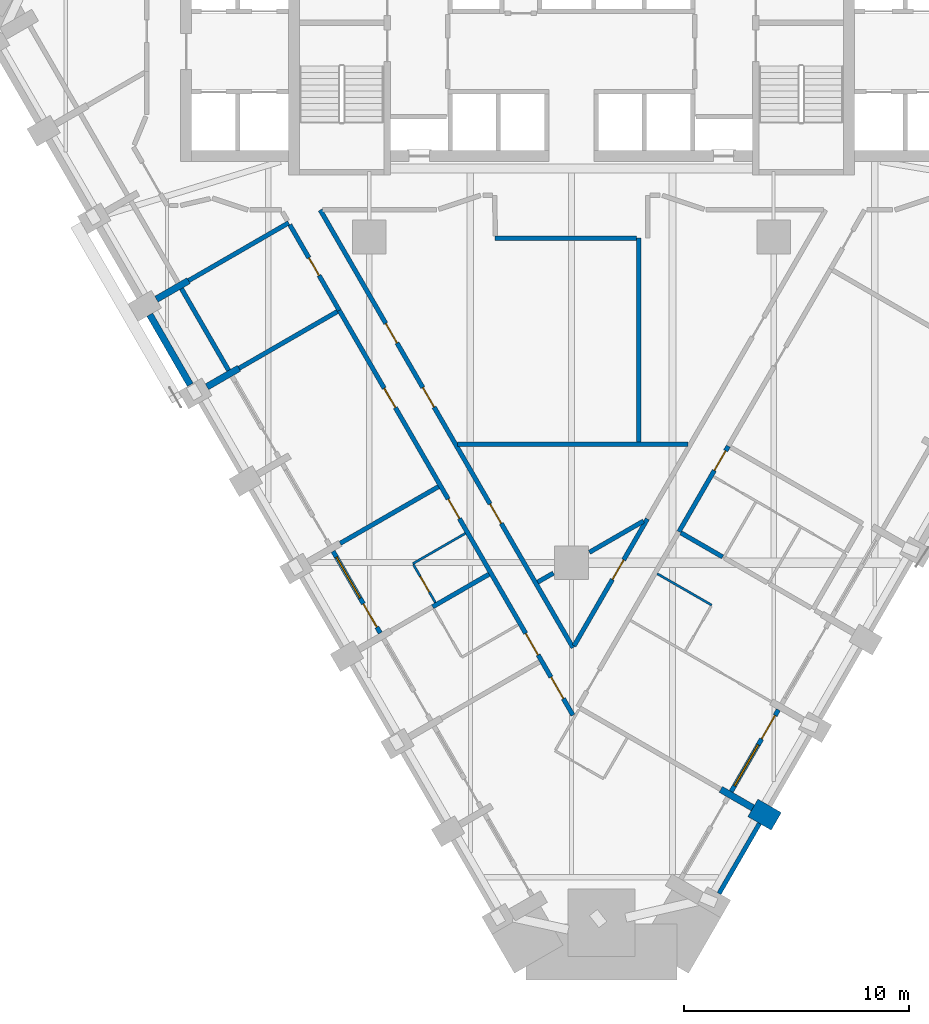
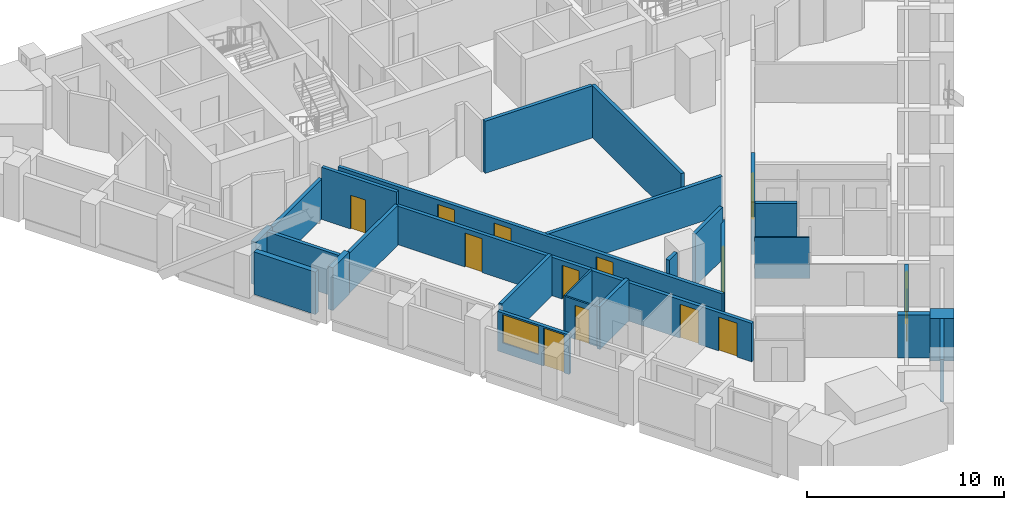
# One storey, part 4 of 11: 27 walls, 13 doors, 2 windows, 15 openings.
"""IFC4 building model written with IfcOpenShell, lengths in metres."""

import ifcopenshell
import ifcopenshell.guid

model = None  # the IFC model being written
_history = None  # IfcOwnerHistory: only IFC2X3 demands one
_inside = {}  # id of a spatial element -> (the spatial element, [elements in it])
_under = {}  # id of a project, library or spatial element -> (it, [spatial elements below it])
_declared = {}  # id of a project -> (the project, [libraries it declares])
_typed = {}  # id of a type object -> (the type object, [elements of that type])
_made_of = {}  # id of a material, layer set ... -> (it, [elements and type objects made of it])


def new_model(schema):
    """Start an empty IFC model of exactly this schema.

    Asked for "IFC4X3", IfcOpenShell would pick the latest addendum, in which some entities
    have other attributes; the version numbers below select the first issue.
    IFC2X3 requires an IfcOwnerHistory on every rooted entity: one is made here for all.
    """
    global model, _history
    if schema == "IFC4X3":
        model = ifcopenshell.file(schema_version=(4, 3, 0, 0))
    else:
        model = ifcopenshell.file(schema=schema)
    _inside.clear()
    _under.clear()
    _declared.clear()
    _typed.clear()
    _made_of.clear()
    _history = None
    if model.schema == "IFC2X3":
        org = make("IfcOrganization", Name="unknown")
        user = make(
            "IfcPersonAndOrganization",
            ThePerson=make("IfcPerson", FamilyName="unknown"),
            TheOrganization=org,
        )
        app = make(
            "IfcApplication",
            ApplicationDeveloper=org,
            Version="unknown",
            ApplicationFullName="unknown",
            ApplicationIdentifier="unknown",
        )
        _history = make(
            "IfcOwnerHistory",
            OwningUser=user,
            OwningApplication=app,
            ChangeAction="ADDED",
            CreationDate=0,
        )
    return model


def make(cls, **values):
    """One entity of the class cls with the attributes given. An attribute that is None is left unset."""
    return model.create_entity(
        cls, **{name: value for name, value in values.items() if value is not None}
    )


def rooted(cls, **values):
    """An entity with a GlobalId (a new one), such as an element, a storey or a relation."""
    return make(cls, GlobalId=ifcopenshell.guid.new(), OwnerHistory=_history, **values)


def si_unit(unit_type, name, prefix=None):
    """IfcSIUnit, for example si_unit("LENGTHUNIT", "METRE", prefix="MILLI")."""
    return make("IfcSIUnit", UnitType=unit_type, Prefix=prefix, Name=name)


def assignment(units):
    """IfcUnitAssignment: the units of a project."""
    return None if units is None else make("IfcUnitAssignment", Units=units)


def point(xyz):
    """IfcCartesianPoint."""
    return None if xyz is None else make("IfcCartesianPoint", Coordinates=xyz)


def direction(xyz):
    """IfcDirection."""
    return None if xyz is None else make("IfcDirection", DirectionRatios=xyz)


def frame(location, z_axis=None, x_axis=None):
    """IfcAxis2Placement3D, a coordinate frame: its origin and axes. An axis left out is left unset."""
    return make(
        "IfcAxis2Placement3D",
        Location=point(location),
        Axis=direction(z_axis),
        RefDirection=direction(x_axis),
    )


def frame_2d(location, x_axis=None):
    """IfcAxis2Placement2D, a coordinate frame in the plane: its origin and x axis."""
    return make(
        "IfcAxis2Placement2D", Location=point(location), RefDirection=direction(x_axis)
    )


def origin():
    """The frame at (0, 0, 0) with its axes left unset."""
    return frame((0.0, 0.0, 0.0))


def place(relative_to, where):
    """IfcLocalPlacement: puts the frame where relative to a parent placement (None: the world)."""
    return make(
        "IfcLocalPlacement", PlacementRelTo=relative_to, RelativePlacement=where
    )


def context(
    kind, dimensions, precision=None, world=None, true_north=None, identifier=None
):
    """IfcGeometricRepresentationContext, for example the 3D "Model" context."""
    return make(
        "IfcGeometricRepresentationContext",
        ContextIdentifier=identifier,
        ContextType=kind,
        CoordinateSpaceDimension=dimensions,
        Precision=precision,
        WorldCoordinateSystem=world,
        TrueNorth=true_north,
    )


def subcontext(parent, identifier, kind, view, scale=None):
    """IfcGeometricRepresentationSubContext, for example "Body" below "Model"."""
    return make(
        "IfcGeometricRepresentationSubContext",
        ContextIdentifier=identifier,
        ContextType=kind,
        ParentContext=parent,
        TargetScale=scale,
        TargetView=view,
    )


def project(units=None, contexts=None):
    """IfcProject with its units and contexts."""
    return rooted(
        "IfcProject",
        Name="project",
        RepresentationContexts=contexts,
        UnitsInContext=assignment(units),
    )


def spatial(cls, under=None, at=None, **own):
    """A site, building, storey or space (cls), placed at a placement, below another one or the project."""
    s = rooted(cls, ObjectPlacement=at, **own)
    if under is not None:
        _under.setdefault(under.id(), (under, []))[1].append(s)
    return s


def profile(cls, at=None, kind="AREA", **sizes):
    """A parametric profile (cls). Its sizes go by their IFC names, for example OverallWidth=200.0."""
    return make(cls, ProfileType=kind, Position=at, **sizes)


def rectangle(**sizes):
    """IfcRectangleProfileDef."""
    return profile("IfcRectangleProfileDef", **sizes)


def extrude(swept, where, along, depth):
    """IfcExtrudedAreaSolid: the profile swept, set in the frame where, extruded along a direction by depth."""
    return make(
        "IfcExtrudedAreaSolid",
        SweptArea=swept,
        Position=where,
        ExtrudedDirection=direction(along),
        Depth=depth,
    )


def shape(context_of_items, identifier, shape_type, items):
    """IfcShapeRepresentation: the items that make up one representation, for example the "Body"."""
    return make(
        "IfcShapeRepresentation",
        ContextOfItems=context_of_items,
        RepresentationIdentifier=identifier,
        RepresentationType=shape_type,
        Items=items,
    )


def material(Name=None, Category=None):
    """IfcMaterial."""
    return make("IfcMaterial", Name=Name, Category=Category)


def layer(
    of_material, thickness, ventilated=None, Name=None, Category=None, Priority=None
):
    """IfcMaterialLayer: one layer of a wall or slab, of a material (None: an air gap)."""
    return make(
        "IfcMaterialLayer",
        Material=of_material,
        LayerThickness=thickness,
        IsVentilated=ventilated,
        Name=Name,
        Category=Category,
        Priority=Priority,
    )


def layer_set(layers, Name=None):
    """IfcMaterialLayerSet."""
    return make("IfcMaterialLayerSet", MaterialLayers=layers, LayerSetName=Name)


def made_of(thing, what):
    """Note that an element or type object is made of a material, layer set ...; save() writes the relation."""
    if what is not None:
        _made_of.setdefault(what.id(), (what, []))[1].append(thing)
    return thing


def type_object(cls, material=None, **own):
    """A type object (cls), such as IfcWallType, which elements share."""
    return made_of(rooted(cls, **own), material)


def element(
    cls,
    number,
    at=None,
    inside=None,
    cuts=None,
    type_object=None,
    material=None,
    context=None,
    identifier="Body",
    shape_type=None,
    held_by="IfcProductDefinitionShape",
    body=None,
    shapes=None,
    **own,
):
    """One element of the class cls, such as IfcWall. Its Tag is "e" and its number.

    at: its placement. inside: the storey or other place that contains it. cuts: it is an
    opening in that element (IfcRelVoidsElement). A single representation is given by context,
    identifier, shape_type and body (its items); several are given by shapes. held_by: the class
    of the entity that holds the representations. save() writes the other relations.
    """
    e = rooted(cls, Tag="e%d" % number, ObjectPlacement=at, **own)
    if body is not None:
        shapes = [shape(context, identifier, shape_type, body)]
    if shapes is not None:
        e.Representation = make(held_by, Representations=shapes)
    if inside is not None:
        _inside.setdefault(inside.id(), (inside, []))[1].append(e)
    if cuts is not None:
        rooted(
            "IfcRelVoidsElement", RelatingBuildingElement=cuts, RelatedOpeningElement=e
        )
    if type_object is not None:
        _typed.setdefault(type_object.id(), (type_object, []))[1].append(e)
    return made_of(e, material)


def fill(opening, filler):
    """IfcRelFillsElement: the door or window that sits in an opening."""
    return rooted(
        "IfcRelFillsElement",
        RelatingOpeningElement=opening,
        RelatedBuildingElement=filler,
    )


def aggregate(whole, parts):
    """IfcRelAggregates: a whole, such as a stair, and the parts it consists of."""
    return rooted("IfcRelAggregates", RelatingObject=whole, RelatedObjects=parts)


def save(model, path):
    """Write the relations noted so far, then the file.

    IfcRelAggregates (storeys below a building ...), IfcRelContainedInSpatialStructure (elements
    in a storey), IfcRelDefinesByType, IfcRelAssociatesMaterial and IfcRelDeclares: one each for
    every whole, place, type object, material and project.
    """
    for whole, parts in _under.values():
        aggregate(whole, parts)
    for where, things in _inside.values():
        rooted(
            "IfcRelContainedInSpatialStructure",
            RelatedElements=things,
            RelatingStructure=where,
        )
    for kind, things in _typed.values():
        rooted("IfcRelDefinesByType", RelatedObjects=things, RelatingType=kind)
    for what, things in _made_of.values():
        rooted("IfcRelAssociatesMaterial", RelatedObjects=things, RelatingMaterial=what)
    for by, libraries in _declared.values():
        rooted("IfcRelDeclares", RelatingContext=by, RelatedDefinitions=libraries)
    model.write(path)


model = new_model("IFC4")

# Units and contexts
model_context = context("Model", 3, precision=1e-05, world=origin(), true_north=direction((0.0, 1.0)))
body_context = subcontext(model_context, "Body", "Model", "MODEL_VIEW")
ifc_project = project(units=[si_unit("LENGTHUNIT", "METRE"), si_unit("AREAUNIT", "SQUARE_METRE"), si_unit("VOLUMEUNIT", "CUBIC_METRE"), si_unit("PLANEANGLEUNIT", "RADIAN"), si_unit("MASSUNIT", "GRAM", prefix="KILO")], contexts=[model_context])

# Site, building, storey
site_placement = place(None, origin())
site = spatial("IfcSite", under=ifc_project, at=site_placement, CompositionType="ELEMENT")
building_placement = place(site_placement, origin())
building = spatial("IfcBuilding", under=site, at=building_placement, Name="Calabash Gate Tower", CompositionType="ELEMENT")
storey_placement = place(building_placement, frame((0.0, 0.0, 98.60009765625)))
storey = spatial("IfcBuildingStorey", under=building, at=storey_placement, Name="L21", CompositionType="ELEMENT", Elevation=98.60009765625)

# Walls
ifc_material_1 = material(Name="Terracotta brick masonry, exposed face", Category="masonry")
ifc_layer_1 = layer(ifc_material_1, 1.199951171875)
ifc_layer_set_1 = layer_set([ifc_layer_1], Name="Brick end wall 1200")
wall_type_1 = type_object("IfcWallType", Name="Brick end wall 1200", PredefinedType="SOLIDWALL", material=ifc_layer_set_1)
wall_1_placement = place(storey_placement, frame((9.1171875, -23.513916015625, 0.0), z_axis=(0.0, 0.0, 1.0), x_axis=(-0.866006032174, 0.500033551112, 0.0)))
element("IfcWall", 1, at=wall_1_placement, inside=storey, type_object=wall_type_1, Name="Brick pier S05 SE2.1", PredefinedType="SOLIDWALL", context=body_context, shape_type="SweptSolid", body=[
    extrude(rectangle(XDim=1.2001953125, YDim=0.89990234375, at=frame_2d((0.60009765625, 0.0))), origin(), (0.0, 0.0, 1.0), 2.6298828125),
])
ifc_material_2 = material(Name="Terracotta brick masonry, exposed face", Category="masonry")
ifc_layer_2 = layer(ifc_material_2, 0.300048828125)
ifc_layer_set_2 = layer_set([ifc_layer_2], Name="Brick infill panel wall 300")
wall_type_2 = type_object("IfcWallType", Name="Brick infill panel wall 300", PredefinedType="SOLIDWALL", material=ifc_layer_set_2)
wall_2_placement = place(storey_placement, frame((-18.765625, -0.961669921875, 0.0), z_axis=(0.0, 0.0, 1.0), x_axis=(0.499961193289, -0.866047807691, 0.0)))
element("IfcWall", 2, at=wall_2_placement, inside=storey, type_object=wall_type_2, Name="Brick panel S05 SW0.4", PredefinedType="SOLIDWALL", context=body_context, shape_type="SweptSolid", body=[
    extrude(rectangle(XDim=3.599853515625, YDim=0.300048828125, at=frame_2d((1.7998046875, 0.0))), origin(), (0.0, 0.0, 1.0), 2.6298828125),
])
ifc_material_3 = material(Name="Terracotta brick masonry, exposed face", Category="masonry")
ifc_layer_3 = layer(ifc_material_3, 0.300048828125)
ifc_layer_set_3 = layer_set([ifc_layer_3], Name="Brick loggia cheek wall 300")
wall_type_3 = type_object("IfcWallType", Name="Brick loggia cheek wall 300", PredefinedType="SOLIDWALL", material=ifc_layer_set_3)
wall_3_placement = place(storey_placement, frame((-17.042236328125, 0.552978515625, 0.0), z_axis=(0.0, 0.0, 1.0), x_axis=(-0.866040211805, -0.499974350878, 0.0)))
element("IfcWall", 3, at=wall_3_placement, inside=storey, type_object=wall_type_3, Name="Loggia cheek S05 SW0.3", PredefinedType="SOLIDWALL", context=body_context, shape_type="SweptSolid", body=[
    extrude(rectangle(XDim=1.64990234375, YDim=0.300048828125, at=frame_2d((0.824951171875, 0.0))), origin(), (0.0, 0.0, 1.0), 2.64990234375),
])
wall_4_placement = place(storey_placement, frame((-16.22119140625, -4.169189453125, 0.0), z_axis=(0.0, 0.0, 1.0), x_axis=(0.865976140824, 0.500085316245, 0.0)))
element("IfcWall", 4, at=wall_4_placement, inside=storey, type_object=wall_type_3, Name="Loggia cheek S05 SW0.4", PredefinedType="SOLIDWALL", context=body_context, shape_type="SweptSolid", body=[
    extrude(rectangle(XDim=1.650146484375, YDim=0.300048828125, at=frame_2d((0.8251953125, 0.0))), origin(), (0.0, 0.0, 1.0), 2.64990234375),
])
wall_5_placement = place(storey_placement, frame((8.077880859375, -22.913818359375, 0.0), z_axis=(0.0, 0.0, 1.0), x_axis=(-0.866040211805, 0.499974350878, 0.0)))
element("IfcWall", 5, at=wall_5_placement, inside=storey, type_object=wall_type_3, Name="Loggia cheek S05 SE2.1", PredefinedType="SOLIDWALL", context=body_context, shape_type="SweptSolid", body=[
    extrude(rectangle(XDim=1.64990234375, YDim=0.300048828125, at=frame_2d((0.824951171875, 0.0))), origin(), (0.0, 0.0, 1.0), 2.64990234375),
])
ifc_material_4 = material(Name="Gypsum board on steel studs, mineral wool", Category="steel")
ifc_layer_4 = layer(ifc_material_4, 0.10009765625)
ifc_layer_set_4 = layer_set([ifc_layer_4], Name="Partition 100 gypsum board")
wall_type_4 = type_object("IfcWallType", Name="Partition 100 gypsum board", PredefinedType="PARTITIONING", material=ifc_layer_set_4)
wall_6_placement = place(storey_placement, frame((3.819580078125, -12.48974609375, 0.0), z_axis=(0.0, 0.0, 1.0), x_axis=(0.866326367614, -0.499478352661, 0.0)))
element("IfcWall", 6, at=wall_6_placement, inside=storey, type_object=wall_type_4, Name="Partition", PredefinedType="PARTITIONING", context=body_context, shape_type="SweptSolid", body=[
    extrude(rectangle(XDim=2.7998046875, YDim=0.10009765625, at=frame_2d((1.39990234375, 0.0))), origin(), (0.0, 0.0, 1.0), 2.5517578125),
])

# Wall, opening, door
wall_7_placement = place(storey_placement, frame((-7.031982421875, -12.085205078125, 0.0), z_axis=(0.0, 0.0, 1.0), x_axis=(0.500098182527, -0.865968710655, 0.0)))
wall_7 = element("IfcWall", 7, at=wall_7_placement, inside=storey, type_object=wall_type_4, Name="Partition", PredefinedType="PARTITIONING", context=body_context, shape_type="SweptSolid", body=[
    extrude(rectangle(XDim=1.94970703125, YDim=0.10009765625, at=frame_2d((0.974853515625, 0.0))), origin(), (0.0, 0.0, 1.0), 2.449951171875),
])
opening_1_placement = place(wall_7_placement, frame((0.60009765625, 0.0, 0.0)))
opening_1 = element("IfcOpeningElement", 8, at=opening_1_placement, cuts=wall_7, Name="Opening 19-21-004", PredefinedType="OPENING", context=body_context, shape_type="SweptSolid", body=[
    extrude(rectangle(XDim=0.800048828125, YDim=2.10009765625, at=frame_2d((0.39990234375, 1.050048828125))), frame((0.0, 0.06005859375, 0.0), z_axis=(0.0, -1.0, 0.0), x_axis=(1.0, 0.0, 0.0)), (0.0, 0.0, 1.0), 0.1201171875),
])
ifc_material_5 = material(Name="Painted timber door", Category="wood")
door_type_1 = type_object("IfcDoorType", Name="GD5 En-suite door 800x2100", OperationType="NOTDEFINED", PredefinedType="DOOR", material=ifc_material_5)
door_1_placement = place(opening_1_placement, origin())
door_1 = element("IfcDoor", 9, at=door_1_placement, inside=storey, type_object=door_type_1, Name="En-suite door", OperationType="SINGLE_SWING_RIGHT", OverallHeight=2.10009765625, OverallWidth=0.800048828125, PredefinedType="DOOR", context=body_context, shape_type="SweptSolid", body=[
    extrude(rectangle(XDim=0.800048828125, YDim=2.10009765625, at=frame_2d((0.39990234375, 1.050048828125))), frame((0.0, 0.02490234375, 0.0), z_axis=(0.0, -1.0, 0.0), x_axis=(1.0, 0.0, 0.0)), (0.0, 0.0, 1.0), 0.050048828125),
])
fill(opening_1, door_1)

# Wall
wall_8_placement = place(storey_placement, frame((-7.056884765625, -12.041748046875, 0.0), z_axis=(0.0, 0.0, 1.0), x_axis=(0.866339109022, 0.499456252518, 0.0)))
element("IfcWall", 10, at=wall_8_placement, inside=storey, type_object=wall_type_4, Name="Partition", PredefinedType="PARTITIONING", context=body_context, shape_type="SweptSolid", body=[
    extrude(rectangle(XDim=2.69970703125, YDim=0.10009765625, at=frame_2d((1.349853515625, 0.0))), origin(), (0.0, 0.0, 1.0), 2.449951171875),
])

# Wall, openings, doors
ifc_material_6 = material(Name="Gypsum board on steel studs, mineral wool", Category="steel")
ifc_layer_5 = layer(ifc_material_6, 0.199951171875)
ifc_layer_set_5 = layer_set([ifc_layer_5], Name="Partition 200 gypsum board EI 60")
wall_type_5 = type_object("IfcWallType", Name="Partition 200 gypsum board EI 60", PredefinedType="PARTITIONING", material=ifc_layer_set_5)
wall_9_placement = place(storey_placement, frame((-10.333740234375, -0.770263671875, 0.0), z_axis=(0.0, 0.0, 1.0), x_axis=(0.499996405163, -0.866027479255, 0.0)))
wall_9 = element("IfcWall", 11, at=wall_9_placement, inside=storey, type_object=wall_type_5, Name="Partition", PredefinedType="PARTITIONING", context=body_context, shape_type="SweptSolid", body=[
    extrude(rectangle(XDim=20.802978515625, YDim=0.199951171875, at=frame_2d((10.4013671875, 0.0))), origin(), (0.0, 0.0, 1.0), 2.384033203125),
])
opening_2_placement = place(wall_9_placement, frame((4.0, 0.0, 0.0)))
opening_2 = element("IfcOpeningElement", 12, at=opening_2_placement, cuts=wall_9, Name="Opening 19-21-002", PredefinedType="OPENING", context=body_context, shape_type="SweptSolid", body=[
    extrude(rectangle(XDim=1.0, YDim=2.10009765625, at=frame_2d((0.5, 1.050048828125))), frame((0.0, 0.10986328125, 0.0), z_axis=(0.0, -1.0, 0.0), x_axis=(1.0, 0.0, 0.0)), (0.0, 0.0, 1.0), 0.219970703125),
])
opening_3_placement = place(wall_9_placement, frame((9.69970703125, 0.0, 0.0)))
opening_3 = element("IfcOpeningElement", 13, at=opening_3_placement, cuts=wall_9, Name="Opening 19-21-003", PredefinedType="OPENING", context=body_context, shape_type="SweptSolid", body=[
    extrude(rectangle(XDim=1.0, YDim=2.10009765625, at=frame_2d((0.5, 1.050048828125))), frame((0.0, 0.10986328125, 0.0), z_axis=(0.0, -1.0, 0.0), x_axis=(1.0, 0.0, 0.0)), (0.0, 0.0, 1.0), 0.219970703125),
])
opening_4_placement = place(wall_9_placement, frame((16.599853515625, 0.0, 0.0)))
opening_4 = element("IfcOpeningElement", 14, at=opening_4_placement, cuts=wall_9, Name="Opening 19-21-005", PredefinedType="OPENING", context=body_context, shape_type="SweptSolid", body=[
    extrude(rectangle(XDim=1.10009765625, YDim=2.10009765625, at=frame_2d((0.550048828125, 1.050048828125))), frame((0.0, 0.10986328125, 0.0), z_axis=(0.0, -1.0, 0.0), x_axis=(1.0, 0.0, 0.0)), (0.0, 0.0, 1.0), 0.219970703125),
])
opening_5_placement = place(wall_9_placement, frame((18.8515625, 0.0, 0.0)))
opening_5 = element("IfcOpeningElement", 15, at=opening_5_placement, cuts=wall_9, Name="Opening 19-21-025", PredefinedType="OPENING", context=body_context, shape_type="SweptSolid", body=[
    extrude(rectangle(XDim=1.10009765625, YDim=2.10009765625, at=frame_2d((0.550048828125, 1.050048828125))), frame((0.0, 0.10986328125, 0.0), z_axis=(0.0, -1.0, 0.0), x_axis=(1.0, 0.0, 0.0)), (0.0, 0.0, 1.0), 0.219970703125),
])
ifc_material_7 = material(Name="Steel fire door set with fire-resisting glazing", Category="steel")
door_type_2 = type_object("IfcDoorType", Name="GD1 Guest room entrance door 1000x2100", OperationType="NOTDEFINED", PredefinedType="DOOR", material=ifc_material_7)
door_2_placement = place(opening_3_placement, origin())
door_2 = element("IfcDoor", 16, at=door_2_placement, inside=storey, type_object=door_type_2, Name="Guest room entrance door", OperationType="SINGLE_SWING_RIGHT", OverallHeight=2.10009765625, OverallWidth=1.0, PredefinedType="DOOR", context=body_context, shape_type="SweptSolid", body=[
    extrude(rectangle(XDim=1.0, YDim=2.10009765625, at=frame_2d((0.5, 1.050048828125))), frame((0.0, 0.02490234375, 0.0), z_axis=(0.0, -1.0, 0.0), x_axis=(1.0, 0.0, 0.0)), (0.0, 0.0, 1.0), 0.050048828125),
])
fill(opening_3, door_2)
ifc_material_8 = material(Name="Steel fire door set with fire-resisting glazing", Category="steel")
door_type_3 = type_object("IfcDoorType", Name="GD2 Accessible guest room entrance door 1100x2100", OperationType="NOTDEFINED", PredefinedType="DOOR", material=ifc_material_8)
door_3_placement = place(opening_4_placement, origin())
door_3 = element("IfcDoor", 17, at=door_3_placement, inside=storey, type_object=door_type_3, Name="Accessible guest room entrance door", OperationType="SINGLE_SWING_LEFT", OverallHeight=2.10009765625, OverallWidth=1.10009765625, PredefinedType="DOOR", context=body_context, shape_type="SweptSolid", body=[
    extrude(rectangle(XDim=1.10009765625, YDim=2.10009765625, at=frame_2d((0.550048828125, 1.050048828125))), frame((0.0, 0.02490234375, 0.0), z_axis=(0.0, -1.0, 0.0), x_axis=(1.0, 0.0, 0.0)), (0.0, 0.0, 1.0), 0.050048828125),
])
fill(opening_4, door_3)
ifc_material_9 = material(Name="Steel fire door set with fire-resisting glazing", Category="steel")
door_type_4 = type_object("IfcDoorType", Name="GD3 Suite entrance door 1100x2100", OperationType="NOTDEFINED", PredefinedType="DOOR", material=ifc_material_9)
door_4_placement = place(opening_5_placement, origin())
door_4 = element("IfcDoor", 18, at=door_4_placement, inside=storey, type_object=door_type_4, Name="Suite entrance door", OperationType="SINGLE_SWING_LEFT", OverallHeight=2.10009765625, OverallWidth=1.10009765625, PredefinedType="DOOR", context=body_context, shape_type="SweptSolid", body=[
    extrude(rectangle(XDim=1.10009765625, YDim=2.10009765625, at=frame_2d((0.550048828125, 1.050048828125))), frame((0.0, 0.02490234375, 0.0), z_axis=(0.0, -1.0, 0.0), x_axis=(1.0, 0.0, 0.0)), (0.0, 0.0, 1.0), 0.050048828125),
])
fill(opening_5, door_4)
ifc_material_10 = material(Name="Steel fire door set with fire-resisting glazing", Category="steel")
door_type_5 = type_object("IfcDoorType", Name="LD2 Meeting room door 1000x2100", OperationType="NOTDEFINED", PredefinedType="DOOR", material=ifc_material_10)
door_5_placement = place(opening_2_placement, origin())
door_5 = element("IfcDoor", 19, at=door_5_placement, inside=storey, type_object=door_type_5, Name="Meeting room door", OperationType="SINGLE_SWING_RIGHT", OverallHeight=2.10009765625, OverallWidth=1.0, PredefinedType="DOOR", context=body_context, shape_type="SweptSolid", body=[
    extrude(rectangle(XDim=1.0, YDim=2.10009765625, at=frame_2d((0.5, 1.050048828125))), frame((0.0, 0.02490234375, 0.0), z_axis=(0.0, -1.0, 0.0), x_axis=(1.0, 0.0, 0.0)), (0.0, 0.0, 1.0), 0.050048828125),
])
fill(opening_2, door_5)

# Wall, opening, door
wall_10_placement = place(storey_placement, frame((0.119384765625, -15.697998046875, 0.0), z_axis=(0.0, 0.0, 1.0), x_axis=(0.499994537821, 0.866028557352, 0.0)))
wall_10 = element("IfcWall", 20, at=wall_10_placement, inside=storey, type_object=wall_type_5, Name="Partition", PredefinedType="PARTITIONING", context=body_context, shape_type="SweptSolid", body=[
    extrude(rectangle(XDim=6.5244140625, YDim=0.199951171875, at=frame_2d((3.26220703125, 0.0))), origin(), (0.0, 0.0, 1.0), 2.30224609375),
])
opening_6_placement = place(wall_10_placement, frame((3.4130859375, 0.0, 0.0)))
opening_6 = element("IfcOpeningElement", 21, at=opening_6_placement, cuts=wall_10, Name="Opening 19-21-013", PredefinedType="OPENING", context=body_context, shape_type="SweptSolid", body=[
    extrude(rectangle(XDim=1.0, YDim=2.10009765625, at=frame_2d((0.5, 1.050048828125))), frame((0.0, 0.10986328125, 0.0), z_axis=(0.0, -1.0, 0.0), x_axis=(1.0, 0.0, 0.0)), (0.0, 0.0, 1.0), 0.219970703125),
])
door_6_placement = place(opening_6_placement, origin())
door_6 = element("IfcDoor", 22, at=door_6_placement, inside=storey, type_object=door_type_5, Name="Meeting room door", OperationType="SINGLE_SWING_RIGHT", OverallHeight=2.10009765625, OverallWidth=1.0, PredefinedType="DOOR", context=body_context, shape_type="SweptSolid", body=[
    extrude(rectangle(XDim=1.0, YDim=2.10009765625, at=frame_2d((0.5, 1.050048828125))), frame((0.0, 0.02490234375, 0.0), z_axis=(0.0, -1.0, 0.0), x_axis=(1.0, 0.0, 0.0)), (0.0, 0.0, 1.0), 0.050048828125),
])
fill(opening_6, door_6)

# Walls
wall_11_placement = place(storey_placement, frame((-1.501220703125, -12.864501953125, 0.0), z_axis=(0.0, 0.0, 1.0), x_axis=(0.86708889474, 0.49815343883, 0.0)))
element("IfcWall", 23, at=wall_11_placement, inside=storey, type_object=wall_type_5, Name="Partition", PredefinedType="PARTITIONING", context=body_context, shape_type="SweptSolid", body=[
    extrude(rectangle(XDim=0.80859375, YDim=0.199951171875, at=frame_2d((0.404296875, 0.0))), origin(), (0.0, 0.0, 1.0), 3.22998046875),
])
wall_12_placement = place(storey_placement, frame((-6.17919921875, -13.962158203125, 0.0), z_axis=(0.0, 0.0, 1.0), x_axis=(0.866011727401, 0.500023687443, 0.0)))
element("IfcWall", 24, at=wall_12_placement, inside=storey, type_object=wall_type_5, Name="Partition", PredefinedType="PARTITIONING", context=body_context, shape_type="SweptSolid", body=[
    extrude(rectangle(XDim=2.899658203125, YDim=0.199951171875, at=frame_2d((1.44970703125, 0.0))), origin(), (0.0, 0.0, 1.0), 2.6279296875),
])
wall_13_placement = place(storey_placement, frame((0.800048828125, -11.537841796875, 0.0), z_axis=(0.0, 0.0, 1.0), x_axis=(0.865884499667, 0.500243973713, 0.0)))
element("IfcWall", 25, at=wall_13_placement, inside=storey, type_object=wall_type_5, Name="Partition", PredefinedType="PARTITIONING", context=body_context, shape_type="SweptSolid", body=[
    extrude(rectangle(XDim=2.7822265625, YDim=0.199951171875, at=frame_2d((1.39111328125, 0.0))), origin(), (0.0, 0.0, 1.0), 3.22998046875),
])
wall_14_placement = place(storey_placement, frame((4.872802734375, -10.6689453125, 0.0), z_axis=(0.0, 0.0, 1.0), x_axis=(0.865664803183, -0.500624059081, 0.0)))
element("IfcWall", 26, at=wall_14_placement, inside=storey, type_object=wall_type_5, Name="Partition", PredefinedType="PARTITIONING", context=body_context, shape_type="SweptSolid", body=[
    extrude(rectangle(XDim=2.148193359375, YDim=0.199951171875, at=frame_2d((1.07421875, 0.0))), origin(), (0.0, 0.0, 1.0), 3.22998046875),
])
wall_15_placement = place(storey_placement, frame((-10.2919921875, -11.138427734375, 0.0), z_axis=(0.0, 0.0, 1.0), x_axis=(0.866188805601, 0.49971687289, 0.0)))
element("IfcWall", 27, at=wall_15_placement, inside=storey, type_object=wall_type_5, Name="Partition", PredefinedType="PARTITIONING", context=body_context, shape_type="SweptSolid", body=[
    extrude(rectangle(XDim=5.0498046875, YDim=0.199951171875, at=frame_2d((2.52490234375, 0.0))), origin(), (0.0, 0.0, 1.0), 2.5517578125),
])

# Wall, opening, door
wall_16_placement = place(storey_placement, frame((4.786376953125, -10.618896484375, 0.0), z_axis=(0.0, 0.0, 1.0), x_axis=(0.500007539231, 0.866021050964, 0.0)))
wall_16 = element("IfcWall", 28, at=wall_16_placement, inside=storey, type_object=wall_type_5, Name="Partition", PredefinedType="PARTITIONING", context=body_context, shape_type="SweptSolid", body=[
    extrude(rectangle(XDim=4.3984375, YDim=0.199951171875, at=frame_2d((2.19921875, 0.0))), origin(), (0.0, 0.0, 1.0), 3.22998046875),
])
opening_7_placement = place(wall_16_placement, frame((3.14990234375, 0.0, 0.0)))
opening_7 = element("IfcOpeningElement", 29, at=opening_7_placement, cuts=wall_16, Name="Opening 19-21-016", PredefinedType="OPENING", context=body_context, shape_type="SweptSolid", body=[
    extrude(rectangle(XDim=1.0, YDim=2.10009765625, at=frame_2d((0.5, 1.050048828125))), frame((0.0, 0.10986328125, 0.0), z_axis=(0.0, -1.0, 0.0), x_axis=(1.0, 0.0, 0.0)), (0.0, 0.0, 1.0), 0.219970703125),
])
ifc_material_11 = material(Name="Steel fire door set with fire-resisting glazing", Category="steel")
door_type_6 = type_object("IfcDoorType", Name="WD3 WC lobby door 1000x2100", OperationType="NOTDEFINED", PredefinedType="DOOR", material=ifc_material_11)
door_7_placement = place(opening_7_placement, origin())
door_7 = element("IfcDoor", 30, at=door_7_placement, inside=storey, type_object=door_type_6, Name="WC lobby door", OperationType="SINGLE_SWING_LEFT", OverallHeight=2.10009765625, OverallWidth=1.0, PredefinedType="DOOR", context=body_context, shape_type="SweptSolid", body=[
    extrude(rectangle(XDim=1.0, YDim=2.10009765625, at=frame_2d((0.5, 1.050048828125))), frame((0.0, 0.02490234375, 0.0), z_axis=(0.0, -1.0, 0.0), x_axis=(1.0, 0.0, 0.0)), (0.0, 0.0, 1.0), 0.050048828125),
])
fill(opening_7, door_7)

# Walls
wall_17_placement = place(storey_placement, frame((-5.06103515625, -6.72509765625, 0.0), z_axis=(0.0, 0.0, 1.0), x_axis=(1.0, 0.0, 0.0)))
element("IfcWall", 31, at=wall_17_placement, inside=storey, type_object=wall_type_5, Name="Partition", PredefinedType="PARTITIONING", context=body_context, shape_type="SweptSolid", body=[
    extrude(rectangle(XDim=10.260986328125, YDim=0.199951171875, at=frame_2d((5.13037109375, 0.0))), origin(), (0.0, 0.0, 1.0), 2.384033203125),
])
wall_18_placement = place(storey_placement, frame((-14.7919921875, -3.34423828125, 0.0), z_axis=(0.0, 0.0, 1.0), x_axis=(0.866188805601, 0.49971687289, 0.0)))
element("IfcWall", 32, at=wall_18_placement, inside=storey, type_object=wall_type_5, Name="Partition", PredefinedType="PARTITIONING", context=body_context, shape_type="SweptSolid", body=[
    extrude(rectangle(XDim=5.0498046875, YDim=0.199951171875, at=frame_2d((2.52490234375, 0.0))), origin(), (0.0, 0.0, 1.0), 2.473388671875),
])

# Wall, opening, door
wall_19_placement = place(storey_placement, frame((-12.533935546875, 3.040283203125, 0.0), z_axis=(0.0, 0.0, 1.0), x_axis=(0.50001224981, -0.866018331238, 0.0)))
wall_19 = element("IfcWall", 33, at=wall_19_placement, inside=storey, type_object=wall_type_5, Name="Partition", PredefinedType="PARTITIONING", context=body_context, shape_type="SweptSolid", body=[
    extrude(rectangle(XDim=4.39990234375, YDim=0.199951171875, at=frame_2d((2.199951171875, 0.0))), origin(), (0.0, 0.0, 1.0), 3.22998046875),
])
opening_8_placement = place(wall_19_placement, frame((1.699951171875, 0.0, 0.0)))
opening_8 = element("IfcOpeningElement", 34, at=opening_8_placement, cuts=wall_19, Name="Opening 19-21-001", PredefinedType="OPENING", context=body_context, shape_type="SweptSolid", body=[
    extrude(rectangle(XDim=0.89990234375, YDim=2.10009765625, at=frame_2d((0.449951171875, 1.050048828125))), frame((0.0, 0.10986328125, 0.0), z_axis=(0.0, -1.0, 0.0), x_axis=(1.0, 0.0, 0.0)), (0.0, 0.0, 1.0), 0.219970703125),
])
ifc_material_12 = material(Name="Steel fire door set with fire-resisting glazing", Category="steel")
door_type_7 = type_object("IfcDoorType", Name="SD1 Service room door 900x2100", OperationType="NOTDEFINED", PredefinedType="DOOR", material=ifc_material_12)
door_8_placement = place(opening_8_placement, origin())
door_8 = element("IfcDoor", 35, at=door_8_placement, inside=storey, type_object=door_type_7, Name="Service room door", OperationType="SINGLE_SWING_RIGHT", OverallHeight=2.10009765625, OverallWidth=0.89990234375, PredefinedType="DOOR", context=body_context, shape_type="SweptSolid", body=[
    extrude(rectangle(XDim=0.89990234375, YDim=2.10009765625, at=frame_2d((0.449951171875, 1.050048828125))), frame((0.0, 0.02490234375, 0.0), z_axis=(0.0, -1.0, 0.0), x_axis=(1.0, 0.0, 0.0)), (0.0, 0.0, 1.0), 0.050048828125),
])
fill(opening_8, door_8)

# Walls
wall_20_placement = place(storey_placement, frame((-17.04248046875, 0.553466796875, 0.0), z_axis=(0.0, 0.0, 1.0), x_axis=(0.865896561189, 0.500223095549, 0.0)))
element("IfcWall", 36, at=wall_20_placement, inside=storey, type_object=wall_type_5, Name="Partition", PredefinedType="PARTITIONING", context=body_context, shape_type="SweptSolid", body=[
    extrude(rectangle(XDim=5.149658203125, YDim=0.199951171875, at=frame_2d((2.57470703125, 0.0))), origin(), (0.0, 0.0, 1.0), 2.473388671875),
])
wall_21_placement = place(storey_placement, frame((-3.400146484375, 2.452392578125, 0.0), z_axis=(0.0, 0.0, 1.0), x_axis=(0.999999963142, -0.000271507243, 0.0)))
element("IfcWall", 37, at=wall_21_placement, inside=storey, type_object=wall_type_5, Name="Partition", PredefinedType="PARTITIONING", context=body_context, shape_type="SweptSolid", body=[
    extrude(rectangle(XDim=6.29443359375, YDim=0.199951171875, at=frame_2d((3.147216796875, 0.0))), origin(), (0.0, 0.0, 1.0), 3.22998046875),
])
wall_22_placement = place(storey_placement, frame((2.994384765625, -6.623046875, 0.0), z_axis=(0.0, 0.0, 1.0), x_axis=(0.000215209959, 0.999999976842, 0.0)))
element("IfcWall", 38, at=wall_22_placement, inside=storey, type_object=wall_type_5, Name="Partition", PredefinedType="PARTITIONING", context=body_context, shape_type="SweptSolid", body=[
    extrude(rectangle(XDim=9.075439453125, YDim=0.199951171875, at=frame_2d((4.53759765625, 0.0))), origin(), (0.0, 0.0, 1.0), 3.22998046875),
])

# Wall, openings, doors
wall_23_placement = place(storey_placement, frame((-11.179931640625, 3.69970703125, 0.0), z_axis=(0.0, 0.0, 1.0), x_axis=(0.500129162475, -0.865950818951, 0.0)))
wall_23 = element("IfcWall", 39, at=wall_23_placement, inside=storey, type_object=wall_type_5, Name="Partition", PredefinedType="PARTITIONING", context=body_context, shape_type="SweptSolid", body=[
    extrude(rectangle(XDim=22.49853515625, YDim=0.199951171875, at=frame_2d((11.249267578125, 0.0))), origin(), (0.0, 0.0, 1.0), 2.384033203125),
])
opening_9_placement = place(wall_23_placement, frame((9.1298828125, 0.0, 0.0)))
opening_9 = element("IfcOpeningElement", 40, at=opening_9_placement, cuts=wall_23, Name="Opening 19-21-011", PredefinedType="OPENING", context=body_context, shape_type="SweptSolid", body=[
    extrude(rectangle(XDim=1.0, YDim=2.10009765625, at=frame_2d((0.5, 1.050048828125))), frame((0.0, 0.10986328125, 0.0), z_axis=(0.0, -1.0, 0.0), x_axis=(1.0, 0.0, 0.0)), (0.0, 0.0, 1.0), 0.219970703125),
])
opening_10_placement = place(wall_23_placement, frame((15.11083984375, 0.0, 0.0)))
opening_10 = element("IfcOpeningElement", 41, at=opening_10_placement, cuts=wall_23, Name="Opening 19-21-014", PredefinedType="OPENING", context=body_context, shape_type="SweptSolid", body=[
    extrude(rectangle(XDim=1.0, YDim=2.10009765625, at=frame_2d((0.5, 1.050048828125))), frame((0.0, 0.10986328125, 0.0), z_axis=(0.0, -1.0, 0.0), x_axis=(1.0, 0.0, 0.0)), (0.0, 0.0, 1.0), 0.219970703125),
])
opening_11_placement = place(wall_23_placement, frame((5.833984375, 0.0, 0.0)))
opening_11 = element("IfcOpeningElement", 42, at=opening_11_placement, cuts=wall_23, Name="Opening 19-21-026", PredefinedType="OPENING", context=body_context, shape_type="SweptSolid", body=[
    extrude(rectangle(XDim=1.0, YDim=2.10009765625, at=frame_2d((0.5, 1.050048828125))), frame((0.0, 0.10986328125, 0.0), z_axis=(0.0, -1.0, 0.0), x_axis=(1.0, 0.0, 0.0)), (0.0, 0.0, 1.0), 0.219970703125),
])
door_9_placement = place(opening_9_placement, origin())
door_9 = element("IfcDoor", 43, at=door_9_placement, inside=storey, type_object=door_type_5, Name="Meeting room door", OperationType="SINGLE_SWING_LEFT", OverallHeight=2.10009765625, OverallWidth=1.0, PredefinedType="DOOR", context=body_context, shape_type="SweptSolid", body=[
    extrude(rectangle(XDim=1.0, YDim=2.10009765625, at=frame_2d((0.5, 1.050048828125))), frame((0.0, 0.02490234375, 0.0), z_axis=(0.0, -1.0, 0.0), x_axis=(1.0, 0.0, 0.0)), (0.0, 0.0, 1.0), 0.050048828125),
])
fill(opening_9, door_9)
door_10_placement = place(opening_10_placement, origin())
door_10 = element("IfcDoor", 44, at=door_10_placement, inside=storey, type_object=door_type_5, Name="Meeting room door", OperationType="SINGLE_SWING_RIGHT", OverallHeight=2.10009765625, OverallWidth=1.0, PredefinedType="DOOR", context=body_context, shape_type="SweptSolid", body=[
    extrude(rectangle(XDim=1.0, YDim=2.10009765625, at=frame_2d((0.5, 1.050048828125))), frame((0.0, 0.02490234375, 0.0), z_axis=(0.0, -1.0, 0.0), x_axis=(1.0, 0.0, 0.0)), (0.0, 0.0, 1.0), 0.050048828125),
])
fill(opening_10, door_10)
door_11_placement = place(opening_11_placement, origin())
door_11 = element("IfcDoor", 45, at=door_11_placement, inside=storey, type_object=door_type_5, Name="Meeting room door", OperationType="SINGLE_SWING_LEFT", OverallHeight=2.10009765625, OverallWidth=1.0, PredefinedType="DOOR", context=body_context, shape_type="SweptSolid", body=[
    extrude(rectangle(XDim=1.0, YDim=2.10009765625, at=frame_2d((0.5, 1.050048828125))), frame((0.0, 0.02490234375, 0.0), z_axis=(0.0, -1.0, 0.0), x_axis=(1.0, 0.0, 0.0)), (0.0, 0.0, 1.0), 0.050048828125),
])
fill(opening_11, door_11)

# Walls
ifc_material_13 = material(Name="Terracotta brick masonry, perforated", Category="masonry")
ifc_layer_6 = layer(ifc_material_13, 0.199951171875)
ifc_layer_set_6 = layer_set([ifc_layer_6], Name="Terracotta jaali screen A")
wall_type_6 = type_object("IfcWallType", Name="Terracotta jaali screen A", PredefinedType="SOLIDWALL", material=ifc_layer_set_6)
wall_24_placement = place(storey_placement, frame((6.572509765625, -26.72119140625, 0.0), z_axis=(0.0, 0.0, 1.0), x_axis=(0.500012057535, 0.866018442252, 0.0)))
element("IfcWall", 46, at=wall_24_placement, inside=storey, type_object=wall_type_6, Name="SCREEN A S05 SE2.1", PredefinedType="SOLIDWALL", context=body_context, shape_type="SweptSolid", body=[
    extrude(rectangle(XDim=3.60009765625, YDim=0.199951171875, at=frame_2d((1.800048828125, 0.0))), origin(), (0.0, 0.0, 1.0), 2.6298828125),
])
ifc_material_14 = material(Name="Aluminium framed window wall with insulated spandrel", Category="aluminium")
ifc_layer_7 = layer(ifc_material_14, 0.199951171875)
ifc_layer_set_7 = layer_set([ifc_layer_7], Name="Window wall 200")
wall_type_7 = type_object("IfcWallType", Name="Window wall 200", PredefinedType="ELEMENTEDWALL", material=ifc_layer_set_7)
wall_25_placement = place(storey_placement, frame((-17.35693359375, 0.197998046875, 0.0), z_axis=(0.0, 0.0, 1.0), x_axis=(0.500027713859, -0.866009402589, 0.0)))
element("IfcWall", 47, at=wall_25_placement, inside=storey, type_object=wall_type_7, Name="Window wall S05 SW0.4", PredefinedType="ELEMENTEDWALL", context=body_context, shape_type="SweptSolid", body=[
    extrude(rectangle(XDim=4.199951171875, YDim=0.199951171875, at=frame_2d((2.10009765625, 0.0))), origin(), (0.0, 0.0, 1.0), 2.64990234375),
])

# Wall, openings, door, window
wall_26_placement = place(storey_placement, frame((-10.60693359375, -11.4931640625, 0.0), z_axis=(0.0, 0.0, 1.0), x_axis=(0.500002543286, -0.866023935413, 0.0)))
wall_26 = element("IfcWall", 48, at=wall_26_placement, inside=storey, type_object=wall_type_7, Name="Window wall S05 SW0.7", PredefinedType="ELEMENTEDWALL", context=body_context, shape_type="SweptSolid", body=[
    extrude(rectangle(XDim=4.2001953125, YDim=0.199951171875, at=frame_2d((2.10009765625, 0.0))), origin(), (0.0, 0.0, 1.0), 2.449951171875),
])
opening_12_placement = place(wall_26_placement, frame((0.300048828125, 0.0, 0.60009765625)))
opening_12 = element("IfcOpeningElement", 49, at=opening_12_placement, cuts=wall_26, Name="Opening HW1L-1750", PredefinedType="OPENING", context=body_context, shape_type="SweptSolid", body=[
    extrude(rectangle(XDim=2.10009765625, YDim=1.75, at=frame_2d((1.050048828125, 0.875))), frame((0.0, 0.10986328125, 0.0), z_axis=(0.0, -1.0, 0.0), x_axis=(1.0, 0.0, 0.0)), (0.0, 0.0, 1.0), 0.219970703125),
])
opening_13_placement = place(wall_26_placement, frame((2.699951171875, 0.0, 0.0)))
opening_13 = element("IfcOpeningElement", 50, at=opening_13_placement, cuts=wall_26, Name="Opening H5-025", PredefinedType="OPENING", context=body_context, shape_type="SweptSolid", body=[
    extrude(rectangle(XDim=1.199951171875, YDim=2.35009765625, at=frame_2d((0.60009765625, 1.175048828125))), frame((0.0, 0.10986328125, 0.0), z_axis=(0.0, -1.0, 0.0), x_axis=(1.0, 0.0, 0.0)), (0.0, 0.0, 1.0), 0.219970703125),
])
ifc_material_15 = material(Name="Anodised aluminium frame, bronze finish, impact-rated laminated clear glazing", Category="aluminium")
door_type_8 = type_object("IfcDoorType", Name="Loggia door DH1L-2350 1200x2350", OperationType="SLIDING_TO_LEFT", PredefinedType="DOOR", material=ifc_material_15)
door_12_placement = place(opening_13_placement, origin())
door_12 = element("IfcDoor", 51, at=door_12_placement, inside=storey, type_object=door_type_8, Name="Loggia door S05 SW0.7", OperationType="SINGLE_SWING_LEFT", OverallHeight=2.35009765625, OverallWidth=1.199951171875, PredefinedType="DOOR", context=body_context, shape_type="SweptSolid", body=[
    extrude(rectangle(XDim=1.199951171875, YDim=2.35009765625, at=frame_2d((0.60009765625, 1.175048828125))), frame((0.0, 0.02490234375, 0.0), z_axis=(0.0, -1.0, 0.0), x_axis=(1.0, 0.0, 0.0)), (0.0, 0.0, 1.0), 0.050048828125),
])
fill(opening_13, door_12)
ifc_material_16 = material(Name="Anodised aluminium frame, bronze finish, impact-rated laminated clear glazing", Category="aluminium")
window_type_1 = type_object("IfcWindowType", Name="Window HW1L 2100x1750", PartitioningType="DOUBLE_PANEL_VERTICAL", PredefinedType="WINDOW", material=ifc_material_16)
window_1_placement = place(opening_12_placement, origin())
window_1 = element("IfcWindow", 52, at=window_1_placement, inside=storey, type_object=window_type_1, Name="Window HW1 S05 SW0.7", OverallHeight=1.75, OverallWidth=2.10009765625, PartitioningType="SINGLE_PANEL", PredefinedType="WINDOW", context=body_context, shape_type="SweptSolid", body=[
    extrude(rectangle(XDim=2.10009765625, YDim=1.75, at=frame_2d((1.050048828125, 0.875))), frame((0.0, 0.030029296875, 0.0), z_axis=(0.0, -1.0, 0.0), x_axis=(1.0, 0.0, 0.0)), (0.0, 0.0, 1.0), 0.06005859375),
])
fill(opening_12, window_1)

wall_27_placement = place(storey_placement, frame((7.113525390625, -22.18408203125, 0.0), z_axis=(0.0, 0.0, 1.0), x_axis=(0.500002543286, 0.866023935413, 0.0)))
wall_27 = element("IfcWall", 53, at=wall_27_placement, inside=storey, type_object=wall_type_7, Name="Window wall S05 SE2.2", PredefinedType="ELEMENTEDWALL", context=body_context, shape_type="SweptSolid", body=[
    extrude(rectangle(XDim=4.2001953125, YDim=0.199951171875, at=frame_2d((2.10009765625, 0.0))), origin(), (0.0, 0.0, 1.0), 2.64990234375),
])
opening_14_placement = place(wall_27_placement, frame((0.300048828125, 0.0, 0.60009765625)))
opening_14 = element("IfcOpeningElement", 54, at=opening_14_placement, cuts=wall_27, Name="Opening HW1", PredefinedType="OPENING", context=body_context, shape_type="SweptSolid", body=[
    extrude(rectangle(XDim=2.10009765625, YDim=1.800048828125, at=frame_2d((1.050048828125, 0.89990234375))), frame((0.0, 0.10986328125, 0.0), z_axis=(0.0, -1.0, 0.0), x_axis=(1.0, 0.0, 0.0)), (0.0, 0.0, 1.0), 0.219970703125),
])
opening_15_placement = place(wall_27_placement, frame((2.699951171875, 0.0, 0.0)))
opening_15 = element("IfcOpeningElement", 55, at=opening_15_placement, cuts=wall_27, Name="Opening H5-020", PredefinedType="OPENING", context=body_context, shape_type="SweptSolid", body=[
    extrude(rectangle(XDim=1.199951171875, YDim=2.39990234375, at=frame_2d((0.60009765625, 1.199951171875))), frame((0.0, 0.10986328125, 0.0), z_axis=(0.0, -1.0, 0.0), x_axis=(1.0, 0.0, 0.0)), (0.0, 0.0, 1.0), 0.219970703125),
])
ifc_material_17 = material(Name="Anodised aluminium frame, bronze finish, impact-rated laminated clear glazing", Category="aluminium")
door_type_9 = type_object("IfcDoorType", Name="Loggia door DH1 1200x2400", OperationType="SLIDING_TO_LEFT", PredefinedType="DOOR", material=ifc_material_17)
door_13_placement = place(opening_15_placement, origin())
door_13 = element("IfcDoor", 56, at=door_13_placement, inside=storey, type_object=door_type_9, Name="Loggia door S05 SE2.2", OperationType="SINGLE_SWING_LEFT", OverallHeight=2.39990234375, OverallWidth=1.199951171875, PredefinedType="DOOR", context=body_context, shape_type="SweptSolid", body=[
    extrude(rectangle(XDim=1.199951171875, YDim=2.39990234375, at=frame_2d((0.60009765625, 1.199951171875))), frame((0.0, 0.02490234375, 0.0), z_axis=(0.0, -1.0, 0.0), x_axis=(1.0, 0.0, 0.0)), (0.0, 0.0, 1.0), 0.050048828125),
])
fill(opening_15, door_13)
ifc_material_18 = material(Name="Anodised aluminium frame, bronze finish, impact-rated laminated clear glazing", Category="aluminium")
window_type_2 = type_object("IfcWindowType", Name="Window HW1 2100x1800", PartitioningType="DOUBLE_PANEL_VERTICAL", PredefinedType="WINDOW", material=ifc_material_18)
window_2_placement = place(opening_14_placement, origin())
window_2 = element("IfcWindow", 57, at=window_2_placement, inside=storey, type_object=window_type_2, Name="Window HW1 S05 SE2.2", OverallHeight=1.800048828125, OverallWidth=2.10009765625, PartitioningType="SINGLE_PANEL", PredefinedType="WINDOW", context=body_context, shape_type="SweptSolid", body=[
    extrude(rectangle(XDim=2.10009765625, YDim=1.800048828125, at=frame_2d((1.050048828125, 0.89990234375))), frame((0.0, 0.030029296875, 0.0), z_axis=(0.0, -1.0, 0.0), x_axis=(1.0, 0.0, 0.0)), (0.0, 0.0, 1.0), 0.06005859375),
])
fill(opening_14, window_2)

save(model, "model.ifc")
